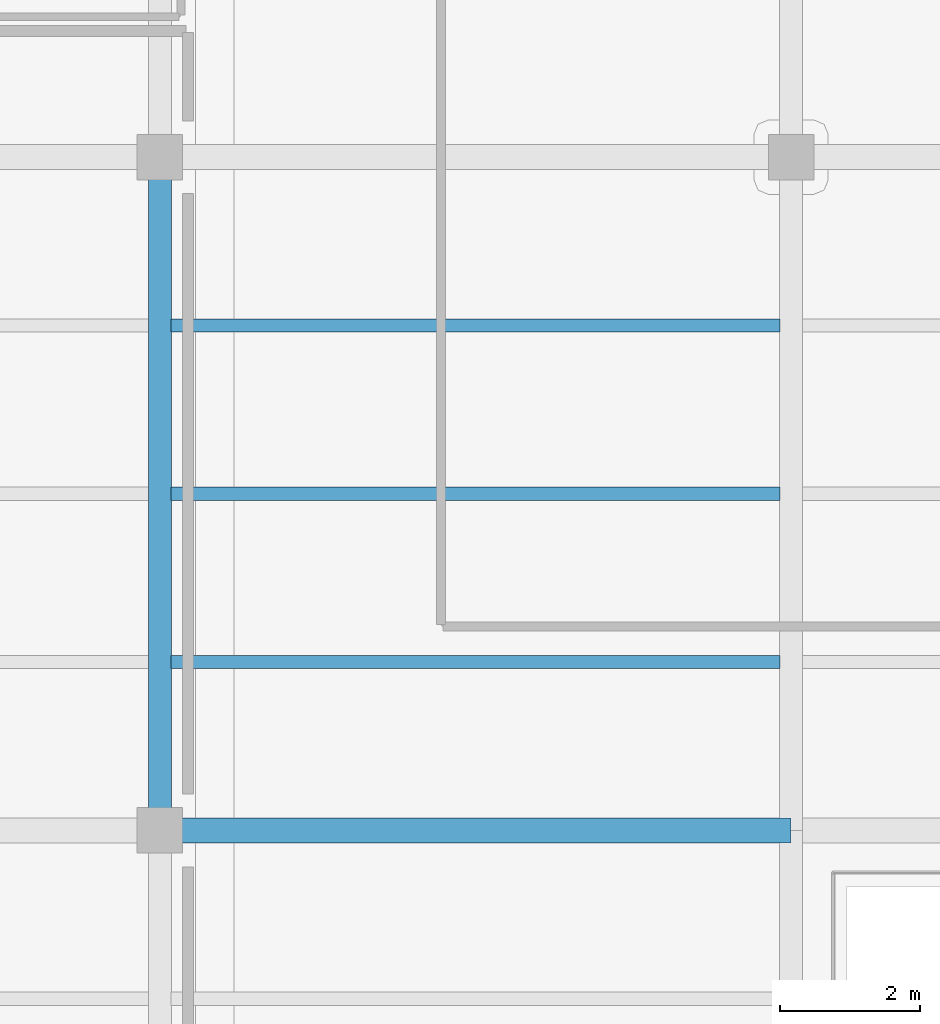
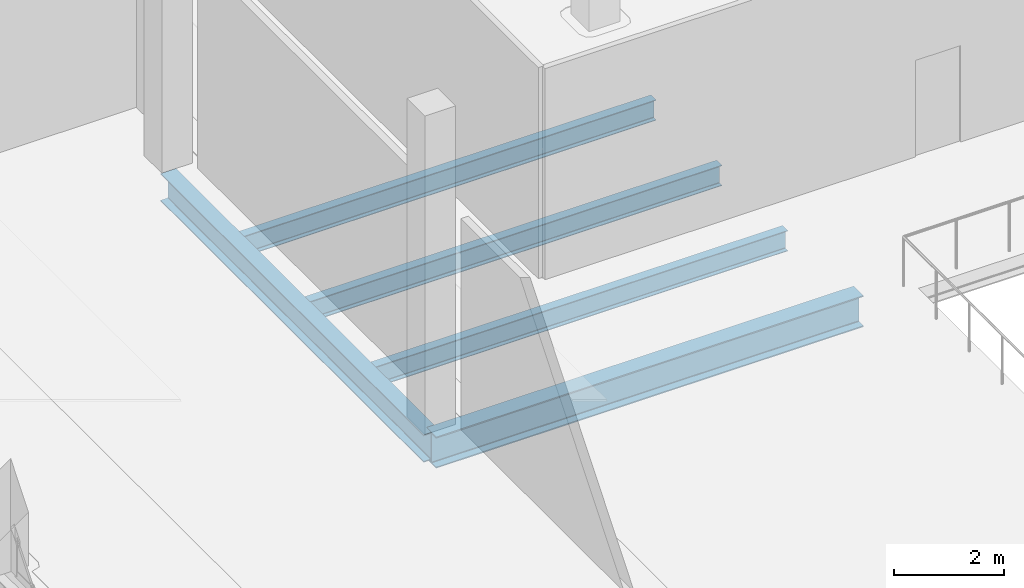
# One storey, part 12 of 43: 5 beams.
"""IFC4 building model written with IfcOpenShell, lengths in metres."""

from ifc_helpers import new_model, si_unit, direction, frame, origin, origin_2d, place, context, subcontext, project, spatial, i_section, extrude, material, material_profile, profile_set, type_object, element, save


model = new_model("IFC4")

# Units and contexts
model_context = context("Model", 3, precision=1e-05, world=origin(), true_north=direction((0.0, 1.0)))
body_context = subcontext(model_context, "Body", "Model", "MODEL_VIEW")
ifc_project = project(units=[si_unit("LENGTHUNIT", "METRE"), si_unit("AREAUNIT", "SQUARE_METRE"), si_unit("VOLUMEUNIT", "CUBIC_METRE"), si_unit("PLANEANGLEUNIT", "RADIAN"), si_unit("MASSUNIT", "GRAM", prefix="KILO")], contexts=[model_context])

# Site, building, storey
site_placement = place(None, origin())
site = spatial("IfcSite", under=ifc_project, at=site_placement, CompositionType="ELEMENT")
building_placement = place(site_placement, origin())
building = spatial("IfcBuilding", under=site, at=building_placement, Name="Qorvath Tower", CompositionType="ELEMENT")
storey_placement = place(building_placement, frame((0.0, 0.0, 22.0)))
storey = spatial("IfcBuildingStorey", under=building, at=storey_placement, Name="L04", CompositionType="ELEMENT", Elevation=22.0)

# Beams
ifc_material_1 = material(Name="Steel ASTM A992 Grade 50", Category="steel")
ifc_material_profile_1 = material_profile(ifc_material_1, i_section(OverallWidth=0.35595703125, OverallDepth=0.696044921875, WebThickness=0.015380859375, FlangeThickness=0.02490234375, FilletRadius=0.01806640625, at=origin_2d()), Name="W27x146")
ifc_profile_set_1 = profile_set([ifc_material_profile_1], Name="Steel ASTM A992 Grade 50")
beam_type_1 = type_object("IfcBeamType", Name="BM-FG4", PredefinedType="BEAM", material=ifc_profile_set_1)
beam_1_placement = place(storey_placement, frame((41.39990234375, 9.60009765625, -0.60791015625), z_axis=(1.0, 0.0, 0.0), x_axis=(0.0, 1.0, 0.0)))
element("IfcBeam", 1, at=beam_1_placement, inside=storey, type_object=beam_type_1, Name="Library E-W Girder L04-6-2", PredefinedType="BEAM", context=body_context, shape_type="SweptSolid", body=[
    extrude(i_section(OverallWidth=0.35595703125, OverallDepth=0.696044921875, WebThickness=0.015380859375, FlangeThickness=0.02490234375, FilletRadius=0.01806640625, at=origin_2d()), origin(), (0.0, 0.0, 1.0), 9.0),
])
ifc_material_2 = material(Name="Steel ASTM A992 Grade 50", Category="steel")
ifc_material_profile_2 = material_profile(ifc_material_2, i_section(OverallWidth=0.324951171875, OverallDepth=0.615966796875, WebThickness=0.013916015625, FlangeThickness=0.021484375, FilletRadius=0.01611328125, at=origin_2d()), Name="W24x117")
ifc_profile_set_2 = profile_set([ifc_material_profile_2], Name="Steel ASTM A992 Grade 50")
beam_type_2 = type_object("IfcBeamType", Name="BM-FG5", PredefinedType="BEAM", material=ifc_profile_set_2)
beam_2_placement = place(storey_placement, frame((41.39990234375, 9.60009765625, -0.568115234375), z_axis=(0.0, 1.0, 0.0), x_axis=(-1.0, 0.0, 0.0)))
element("IfcBeam", 2, at=beam_2_placement, inside=storey, type_object=beam_type_2, Name="Library N-S Girder L04-2-6", PredefinedType="BEAM", context=body_context, shape_type="SweptSolid", body=[
    extrude(i_section(OverallWidth=0.324951171875, OverallDepth=0.615966796875, WebThickness=0.013916015625, FlangeThickness=0.021484375, FilletRadius=0.01611328125, at=origin_2d()), origin(), (0.0, 0.0, 1.0), 9.599853515625),
])
ifc_material_3 = material(Name="Steel ASTM A992 Grade 50", Category="steel")
ifc_material_profile_3 = material_profile(ifc_material_3, i_section(OverallWidth=0.18994140625, OverallDepth=0.45703125, WebThickness=0.009033203125, FlangeThickness=0.014404296875, FilletRadius=0.011962890625, at=origin_2d()), Name="W18x50")
ifc_profile_set_3 = profile_set([ifc_material_profile_3], Name="Steel ASTM A992 Grade 50")
beam_type_3 = type_object("IfcBeamType", Name="BM-FJ2", PredefinedType="JOIST", material=ifc_profile_set_3)
for number, where, z_axis, x_axis, name in (
    (3, (41.560546875, 12.0, -0.488525390625), (1.0, 0.0, 0.0), (0.0, 1.0, 0.0), "Library Stack Joist L04-6.1-2"),
    (4, (41.560546875, 14.39990234375, -0.488525390625), (1.0, 0.0, 0.0), (0.0, 1.0, 0.0), "Library Stack Joist L04-6.2-2"),
    (5, (41.560546875, 16.800048828125, -0.488525390625), (1.0, 0.0, 0.0), (0.0, 1.0, 0.0), "Library Stack Joist L04-6.3-2"),
):
    element("IfcBeam", number, at=place(storey_placement, frame(where, z_axis=z_axis, x_axis=x_axis)), inside=storey, type_object=beam_type_3, Name=name, PredefinedType="JOIST", context=body_context, shape_type="SweptSolid", body=[
        extrude(i_section(OverallWidth=0.18994140625, OverallDepth=0.45703125, WebThickness=0.009033203125, FlangeThickness=0.014404296875, FilletRadius=0.011962890625, at=origin_2d()), origin(), (0.0, 0.0, 1.0), 8.678955078125),
    ])

save(model, "model.ifc")
